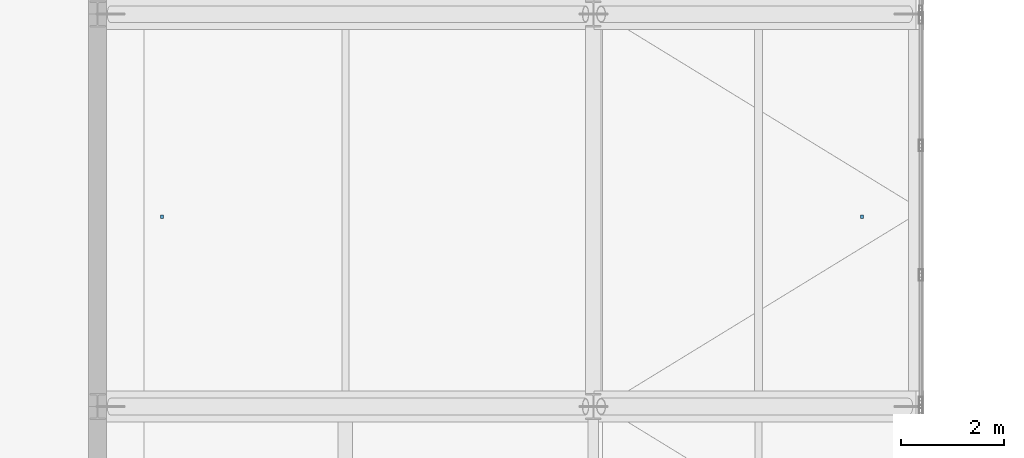
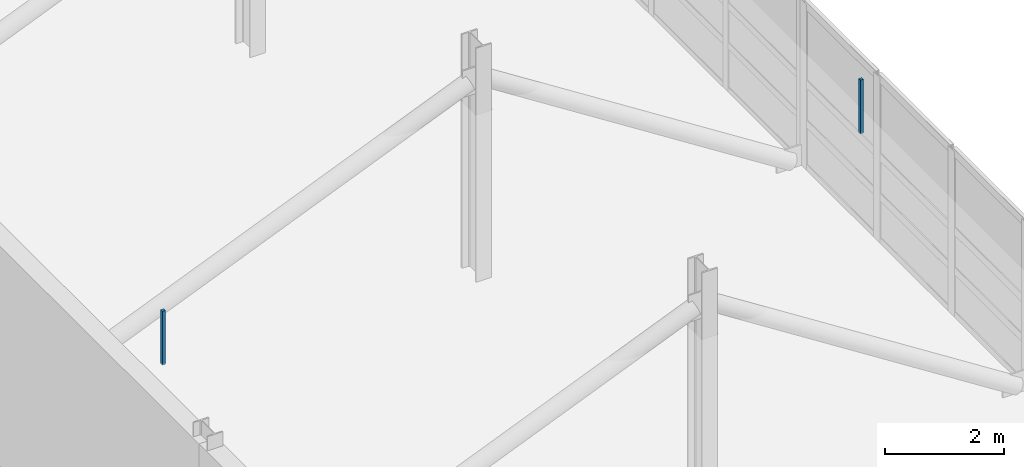
# One storey, part 100 of 147: 2 discrete accessories.
"""IFC4 building model written with IfcOpenShell, lengths in metres."""

from ifc_helpers import new_model, si_unit, direction, frame, origin, origin_2d, place, context, subcontext, project, spatial, rectangle, extrude, material, type_object, element, save


model = new_model("IFC4")

# Units and contexts
model_context = context("Model", 3, precision=1e-05, world=origin(), true_north=direction((0.0, 1.0)))
body_context = subcontext(model_context, "Body", "Model", "MODEL_VIEW")
ifc_project = project(units=[si_unit("LENGTHUNIT", "METRE"), si_unit("AREAUNIT", "SQUARE_METRE"), si_unit("VOLUMEUNIT", "CUBIC_METRE"), si_unit("PLANEANGLEUNIT", "RADIAN"), si_unit("MASSUNIT", "GRAM", prefix="KILO")], contexts=[model_context])

# Site, building, storey
site_placement = place(None, origin())
site = spatial("IfcSite", under=ifc_project, at=site_placement, CompositionType="ELEMENT")
building_placement = place(site_placement, origin())
building = spatial("IfcBuilding", under=site, at=building_placement, Name="Khelvaren Railside Concert Hall", CompositionType="ELEMENT")
storey_placement = place(building_placement, frame((0.0, 0.0, 5.39990234375)))
storey = spatial("IfcBuildingStorey", under=building, at=storey_placement, Name="L01", CompositionType="ELEMENT", Elevation=5.39990234375)

# Discrete accessories
ifc_material = material(Name="Galvanised steel acoustic ceiling hanger rod", Category="steel")
discrete_accessory_type = type_object("IfcDiscreteAccessoryType", Name="BRK62", PredefinedType="BRACKET", material=ifc_material)
for number, where, z_axis, x_axis, name in (
    (1, (41.25, 26.47509765625, 3.429931640625), (0.0, 0.0, 1.0), (1.0, 0.0, 0.0), "Acoustic Ceiling Suspension Bracket 13-1"),
    (2, (54.800048828125, 26.47509765625, 3.429931640625), (0.0, 0.0, 1.0), (1.0, 0.0, 0.0), "Acoustic Ceiling Suspension Bracket 13-2"),
):
    element("IfcDiscreteAccessory", number, at=place(storey_placement, frame(where, z_axis=z_axis, x_axis=x_axis)), inside=storey, type_object=discrete_accessory_type, Name=name, PredefinedType="BRACKET", context=body_context, shape_type="SweptSolid", body=[
        extrude(rectangle(XDim=0.06005859375, YDim=0.06005859375, at=origin_2d()), origin(), (0.0, 0.0, 1.0), 1.10009765625),
    ])

save(model, "model.ifc")
